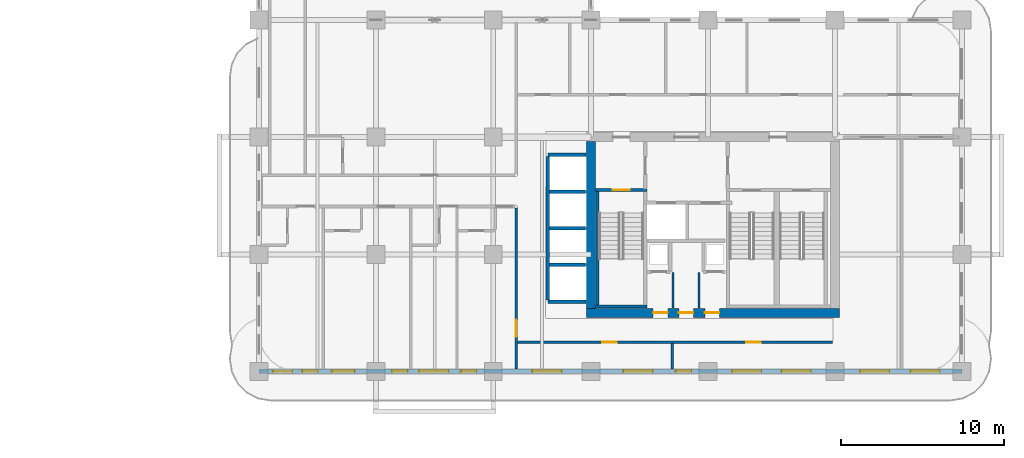
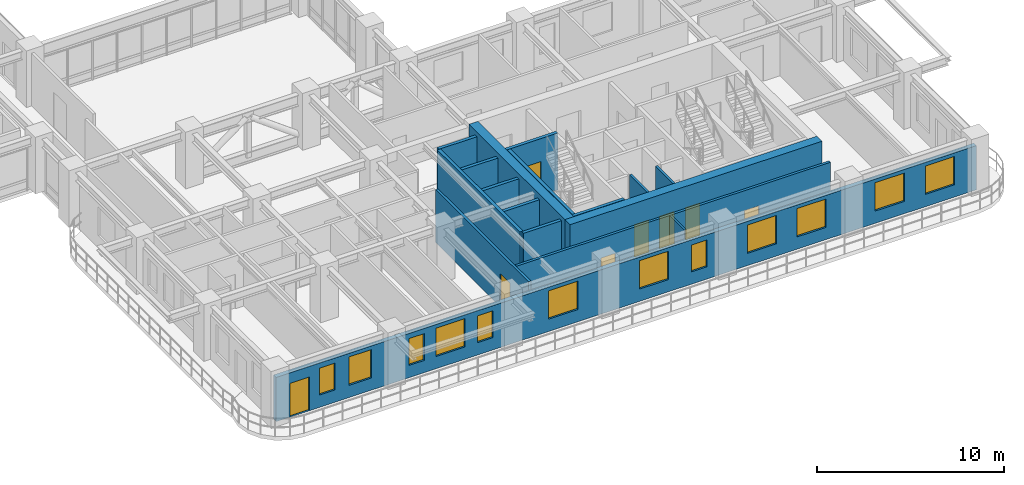
# One storey, part 12 of 21: 17 walls, 12 windows, 8 doors, 20 openings.
"""IFC4 building model written with IfcOpenShell, lengths in metres."""

from ifc_helpers import new_model, si_unit, derived_unit, direction, frame, frame_2d, origin, place, context, subcontext, project, spatial, rectangle, extrude, source, transform, mapped, material, layer, layer_set, type_object, type_shapes, element, fill, save


model = new_model("IFC4")

# Units and contexts
model_context = context("Model", 3, precision=1e-05, world=origin(), true_north=direction((0.0, 1.0)))
body_context = subcontext(model_context, "Body", "Model", "MODEL_VIEW")
ifc_project = project(units=[si_unit("LENGTHUNIT", "METRE"), si_unit("AREAUNIT", "SQUARE_METRE"), si_unit("VOLUMEUNIT", "CUBIC_METRE"), si_unit("PLANEANGLEUNIT", "RADIAN"), si_unit("MASSUNIT", "GRAM", prefix="KILO"), si_unit("THERMODYNAMICTEMPERATUREUNIT", "KELVIN"), si_unit("POWERUNIT", "WATT"), derived_unit("THERMALTRANSMITTANCEUNIT", [(si_unit("POWERUNIT", "WATT"), 1), (si_unit("AREAUNIT", "SQUARE_METRE"), -1), (si_unit("THERMODYNAMICTEMPERATUREUNIT", "KELVIN"), -1)])], contexts=[model_context])

# Site, building, storey
site_placement = place(None, origin())
site = spatial("IfcSite", under=ifc_project, at=site_placement, CompositionType="ELEMENT")
building_placement = place(site_placement, origin())
building = spatial("IfcBuilding", under=site, at=building_placement, Name="Zahravan Archway Hotel and Residences", CompositionType="ELEMENT")
storey_placement = place(building_placement, frame((0.0, 0.0, 65.699951171875)))
storey = spatial("IfcBuildingStorey", under=building, at=storey_placement, Name="L15", CompositionType="ELEMENT", Elevation=65.699951171875)

# Wall, openings, doors
ifc_material_1 = material(Name="Concrete C70/85", Category="concrete")
ifc_layer_1 = layer(ifc_material_1, 0.550048828125, Name="Concrete C70/85", Category="concrete")
ifc_layer_set_1 = layer_set([ifc_layer_1], Name="Concrete C70/85")
wall_type_1 = type_object("IfcWallType", Name="CW-CORE-550", PredefinedType="SHEAR", material=ifc_layer_set_1)
wall_1_placement = place(storey_placement, frame((34.52490234375, 3.60009765625, 0.0), z_axis=(0.0, 0.0, 1.0), x_axis=(1.0, 0.0, 0.0)))
wall_1 = element("IfcWall", 1, at=wall_1_placement, inside=storey, type_object=wall_type_1, Name="L15 Core A Shear S Wall 550 mm", PredefinedType="SHEAR", context=body_context, shape_type="SweptSolid", body=[
    extrude(rectangle(XDim=15.550048828125, YDim=0.550048828125, at=frame_2d((7.77490234375, 0.0))), origin(), (0.0, 0.0, 1.0), 3.699951171875),
])
opening_1_placement = place(wall_1_placement, frame((4.10498046875, 0.0, 0.0)))
opening_1 = element("IfcOpeningElement", 2, at=opening_1_placement, cuts=wall_1, Name="Opening FD-R1", PredefinedType="OPENING", context=body_context, shape_type="SweptSolid", body=[
    extrude(rectangle(XDim=0.89990234375, YDim=2.10009765625, at=frame_2d((0.449951171875, 1.050048828125))), frame((0.0, 0.28515625, 0.0), z_axis=(0.0, -1.0, 0.0), x_axis=(1.0, 0.0, 0.0)), (0.0, 0.0, 1.0), 0.570068359375),
])
opening_2_placement = place(wall_1_placement, frame((5.675048828125, 0.0, 0.0)))
opening_2 = element("IfcOpeningElement", 3, at=opening_2_placement, cuts=wall_1, Name="Opening FD-R1", PredefinedType="OPENING", context=body_context, shape_type="SweptSolid", body=[
    extrude(rectangle(XDim=0.89990234375, YDim=2.10009765625, at=frame_2d((0.449951171875, 1.050048828125))), frame((0.0, 0.28515625, 0.0), z_axis=(0.0, -1.0, 0.0), x_axis=(1.0, 0.0, 0.0)), (0.0, 0.0, 1.0), 0.570068359375),
])
opening_3_placement = place(wall_1_placement, frame((7.27490234375, 0.0, 0.0)))
opening_3 = element("IfcOpeningElement", 4, at=opening_3_placement, cuts=wall_1, Name="Opening FD-R1", PredefinedType="OPENING", context=body_context, shape_type="SweptSolid", body=[
    extrude(rectangle(XDim=0.89990234375, YDim=2.10009765625, at=frame_2d((0.449951171875, 1.050048828125))), frame((0.0, 0.28515625, 0.0), z_axis=(0.0, -1.0, 0.0), x_axis=(1.0, 0.0, 0.0)), (0.0, 0.0, 1.0), 0.570068359375),
])
ifc_material_2 = material(Name="Fire-Rated Painted Steel", Category="steel")
door_type_1 = type_object("IfcDoorType", Name="FD-RISER-900", OperationType="NOTDEFINED", PredefinedType="DOOR", material=ifc_material_2)
shared_shape_1 = source(origin(), body_context, "Body", "SweptSolid", [
    extrude(rectangle(XDim=0.89990234375, YDim=2.10009765625, at=frame_2d((0.449951171875, 1.050048828125))), frame((0.0, 0.02490234375, 0.0), z_axis=(0.0, -1.0, 0.0), x_axis=(1.0, 0.0, 0.0)), (0.0, 0.0, 1.0), 0.050048828125),
])
type_shapes(door_type_1, [shared_shape_1])
door_1_placement = place(opening_1_placement, origin())
door_1 = element("IfcDoor", 5, at=door_1_placement, inside=storey, type_object=door_type_1, Name="L15 Linen Store Door", OperationType="SINGLE_SWING_LEFT", OverallHeight=2.10009765625, OverallWidth=0.89990234375, PredefinedType="DOOR", context=body_context, shape_type="MappedRepresentation", body=[
    mapped(shared_shape_1, transform((0.0, 0.0, 0.0), scale=1.0)),
])
fill(opening_1, door_1)
door_2_placement = place(opening_2_placement, origin())
door_2 = element("IfcDoor", 6, at=door_2_placement, inside=storey, type_object=door_type_1, Name="L15 Housekeeping Store Door", OperationType="SINGLE_SWING_RIGHT", OverallHeight=2.10009765625, OverallWidth=0.89990234375, PredefinedType="DOOR", context=body_context, shape_type="MappedRepresentation", body=[
    mapped(shared_shape_1, transform((0.0, 0.0, 0.0), scale=1.0)),
])
fill(opening_2, door_2)
door_3_placement = place(opening_3_placement, origin())
door_3 = element("IfcDoor", 7, at=door_3_placement, inside=storey, type_object=door_type_1, Name="L15 Janitor Store Door", OperationType="SINGLE_SWING_LEFT", OverallHeight=2.10009765625, OverallWidth=0.89990234375, PredefinedType="DOOR", context=body_context, shape_type="MappedRepresentation", body=[
    mapped(shared_shape_1, transform((0.0, 0.0, 0.0), scale=1.0)),
])
fill(opening_3, door_3)

# Wall
wall_2_placement = place(storey_placement, frame((34.800048828125, 3.875, 0.0), z_axis=(0.0, 0.0, 1.0), x_axis=(0.0, 1.0, 0.0)))
element("IfcWall", 8, at=wall_2_placement, inside=storey, type_object=wall_type_1, Name="L15 Core A Shear W Wall 550 mm", PredefinedType="SHEAR", context=body_context, shape_type="SweptSolid", body=[
    extrude(rectangle(XDim=10.25, YDim=0.550048828125, at=frame_2d((5.125, 0.0))), origin(), (0.0, 0.0, 1.0), 3.699951171875),
])

# Wall, openings, door, windows
ifc_material_3 = material(Name="Honed Red-Ochre Sandstone & Insulated Block", Category="masonry")
ifc_layer_2 = layer(ifc_material_3, 0.280029296875, Name="Honed Red-Ochre Sandstone & Insulated Block", Category="masonry")
ifc_layer_set_2 = layer_set([ifc_layer_2], Name="Honed Red-Ochre Sandstone & Insulated Block")
wall_type_2 = type_object("IfcWallType", Name="EW-LOG-280", PredefinedType="SOLIDWALL", material=ifc_layer_set_2)
wall_3_placement = place(storey_placement, frame((14.39990234375, 0.0, 0.0), z_axis=(0.0, 0.0, 1.0), x_axis=(1.0, 0.0, 0.0)))
wall_3 = element("IfcWall", 9, at=wall_3_placement, inside=storey, type_object=wall_type_2, Name="L15 Exterior Sandstone Wall WA-S", PredefinedType="SOLIDWALL", context=body_context, shape_type="SweptSolid", body=[
    extrude(rectangle(XDim=43.2001953125, YDim=0.280029296875, at=frame_2d((21.60009765625, 0.0))), origin(), (0.0, 0.0, 1.0), 2.885009765625),
])
opening_4_placement = place(wall_3_placement, frame((0.85009765625, 0.0, 0.0)))
opening_4 = element("IfcOpeningElement", 10, at=opening_4_placement, cuts=wall_3, Name="Opening ED-BL1", PredefinedType="OPENING", context=body_context, shape_type="SweptSolid", body=[
    extrude(rectangle(XDim=1.199951171875, YDim=2.199951171875, at=frame_2d((0.60009765625, 1.10009765625))), frame((0.0, 0.14990234375, 0.0), z_axis=(0.0, -1.0, 0.0), x_axis=(1.0, 0.0, 0.0)), (0.0, 0.0, 1.0), 0.300048828125),
])
opening_5_placement = place(wall_3_placement, frame((2.6708984375, 0.0, 0.800048828125)))
opening_5 = element("IfcOpeningElement", 11, at=opening_5_placement, cuts=wall_3, Name="Opening W-04", PredefinedType="OPENING", context=body_context, shape_type="SweptSolid", body=[
    extrude(rectangle(XDim=0.949951171875, YDim=1.75, at=frame_2d((0.47509765625, 0.875))), frame((0.0, 0.14990234375, 0.0), z_axis=(0.0, -1.0, 0.0), x_axis=(1.0, 0.0, 0.0)), (0.0, 0.0, 1.0), 0.300048828125),
])
opening_6_placement = place(wall_3_placement, frame((4.47900390625, 0.0, 0.800048828125)))
opening_6 = element("IfcOpeningElement", 12, at=opening_6_placement, cuts=wall_3, Name="Opening W-03", PredefinedType="OPENING", context=body_context, shape_type="SweptSolid", body=[
    extrude(rectangle(XDim=1.39990234375, YDim=1.85009765625, at=frame_2d((0.699951171875, 0.925048828125))), frame((0.0, 0.14990234375, 0.0), z_axis=(0.0, -1.0, 0.0), x_axis=(1.0, 0.0, 0.0)), (0.0, 0.0, 1.0), 0.300048828125),
])
opening_7_placement = place(wall_3_placement, frame((8.180908203125, 0.0, 0.800048828125)))
opening_7 = element("IfcOpeningElement", 13, at=opening_7_placement, cuts=wall_3, Name="Opening W-04", PredefinedType="OPENING", context=body_context, shape_type="SweptSolid", body=[
    extrude(rectangle(XDim=0.949951171875, YDim=1.75, at=frame_2d((0.47509765625, 0.875))), frame((0.0, 0.14990234375, 0.0), z_axis=(0.0, -1.0, 0.0), x_axis=(1.0, 0.0, 0.0)), (0.0, 0.0, 1.0), 0.300048828125),
])
opening_8_placement = place(wall_3_placement, frame((9.844970703125, 0.0, 0.800048828125)))
opening_8 = element("IfcOpeningElement", 14, at=opening_8_placement, cuts=wall_3, Name="Opening W-02", PredefinedType="OPENING", context=body_context, shape_type="SweptSolid", body=[
    extrude(rectangle(XDim=1.800048828125, YDim=1.85009765625, at=frame_2d((0.89990234375, 0.925048828125))), frame((0.0, 0.14990234375, 0.0), z_axis=(0.0, -1.0, 0.0), x_axis=(1.0, 0.0, 0.0)), (0.0, 0.0, 1.0), 0.300048828125),
])
opening_9_placement = place(wall_3_placement, frame((12.4140625, 0.0, 0.800048828125)))
opening_9 = element("IfcOpeningElement", 15, at=opening_9_placement, cuts=wall_3, Name="Opening W-04", PredefinedType="OPENING", context=body_context, shape_type="SweptSolid", body=[
    extrude(rectangle(XDim=0.949951171875, YDim=1.75, at=frame_2d((0.47509765625, 0.875))), frame((0.0, 0.14990234375, 0.0), z_axis=(0.0, -1.0, 0.0), x_axis=(1.0, 0.0, 0.0)), (0.0, 0.0, 1.0), 0.300048828125),
])
opening_10_placement = place(wall_3_placement, frame((16.803955078125, 0.0, 0.800048828125)))
opening_10 = element("IfcOpeningElement", 16, at=opening_10_placement, cuts=wall_3, Name="Opening W-02", PredefinedType="OPENING", context=body_context, shape_type="SweptSolid", body=[
    extrude(rectangle(XDim=1.800048828125, YDim=1.85009765625, at=frame_2d((0.89990234375, 0.925048828125))), frame((0.0, 0.14990234375, 0.0), z_axis=(0.0, -1.0, 0.0), x_axis=(1.0, 0.0, 0.0)), (0.0, 0.0, 1.0), 0.300048828125),
])
opening_11_placement = place(wall_3_placement, frame((22.39599609375, 0.0, 0.800048828125)))
opening_11 = element("IfcOpeningElement", 17, at=opening_11_placement, cuts=wall_3, Name="Opening W-02", PredefinedType="OPENING", context=body_context, shape_type="SweptSolid", body=[
    extrude(rectangle(XDim=1.800048828125, YDim=1.85009765625, at=frame_2d((0.89990234375, 0.925048828125))), frame((0.0, 0.14990234375, 0.0), z_axis=(0.0, -1.0, 0.0), x_axis=(1.0, 0.0, 0.0)), (0.0, 0.0, 1.0), 0.300048828125),
])
opening_12_placement = place(wall_3_placement, frame((25.62890625, 0.0, 0.800048828125)))
opening_12 = element("IfcOpeningElement", 18, at=opening_12_placement, cuts=wall_3, Name="Opening W-04", PredefinedType="OPENING", context=body_context, shape_type="SweptSolid", body=[
    extrude(rectangle(XDim=0.949951171875, YDim=1.75, at=frame_2d((0.47509765625, 0.875))), frame((0.0, 0.14990234375, 0.0), z_axis=(0.0, -1.0, 0.0), x_axis=(1.0, 0.0, 0.0)), (0.0, 0.0, 1.0), 0.300048828125),
])
opening_13_placement = place(wall_3_placement, frame((29.074951171875, 0.0, 0.800048828125)))
opening_13 = element("IfcOpeningElement", 19, at=opening_13_placement, cuts=wall_3, Name="Opening W-02", PredefinedType="OPENING", context=body_context, shape_type="SweptSolid", body=[
    extrude(rectangle(XDim=1.800048828125, YDim=1.85009765625, at=frame_2d((0.89990234375, 0.925048828125))), frame((0.0, 0.14990234375, 0.0), z_axis=(0.0, -1.0, 0.0), x_axis=(1.0, 0.0, 0.0)), (0.0, 0.0, 1.0), 0.300048828125),
])
opening_14_placement = place(wall_3_placement, frame((32.125, 0.0, 0.800048828125)))
opening_14 = element("IfcOpeningElement", 20, at=opening_14_placement, cuts=wall_3, Name="Opening W-02", PredefinedType="OPENING", context=body_context, shape_type="SweptSolid", body=[
    extrude(rectangle(XDim=1.800048828125, YDim=1.85009765625, at=frame_2d((0.89990234375, 0.925048828125))), frame((0.0, 0.14990234375, 0.0), z_axis=(0.0, -1.0, 0.0), x_axis=(1.0, 0.0, 0.0)), (0.0, 0.0, 1.0), 0.300048828125),
])
opening_15_placement = place(wall_3_placement, frame((36.946044921875, 0.0, 0.800048828125)))
opening_15 = element("IfcOpeningElement", 21, at=opening_15_placement, cuts=wall_3, Name="Opening W-02", PredefinedType="OPENING", context=body_context, shape_type="SweptSolid", body=[
    extrude(rectangle(XDim=1.800048828125, YDim=1.85009765625, at=frame_2d((0.89990234375, 0.925048828125))), frame((0.0, 0.14990234375, 0.0), z_axis=(0.0, -1.0, 0.0), x_axis=(1.0, 0.0, 0.0)), (0.0, 0.0, 1.0), 0.300048828125),
])
opening_16_placement = place(wall_3_placement, frame((40.053955078125, 0.0, 0.800048828125)))
opening_16 = element("IfcOpeningElement", 22, at=opening_16_placement, cuts=wall_3, Name="Opening W-02", PredefinedType="OPENING", context=body_context, shape_type="SweptSolid", body=[
    extrude(rectangle(XDim=1.800048828125, YDim=1.85009765625, at=frame_2d((0.89990234375, 0.925048828125))), frame((0.0, 0.14990234375, 0.0), z_axis=(0.0, -1.0, 0.0), x_axis=(1.0, 0.0, 0.0)), (0.0, 0.0, 1.0), 0.300048828125),
])
ifc_material_4 = material(Name="Bronze-Anodized Glazed Aluminium", Category="aluminium")
door_type_2 = type_object("IfcDoorType", Name="ED-BALC-1200", OperationType="SLIDING_TO_LEFT", PredefinedType="DOOR", material=ifc_material_4)
shared_shape_2 = source(origin(), body_context, "Body", "SweptSolid", [
    extrude(rectangle(XDim=1.199951171875, YDim=2.199951171875, at=frame_2d((0.60009765625, 1.10009765625))), frame((0.0, 0.02490234375, 0.0), z_axis=(0.0, -1.0, 0.0), x_axis=(1.0, 0.0, 0.0)), (0.0, 0.0, 1.0), 0.050048828125),
])
type_shapes(door_type_2, [shared_shape_2])
door_4_placement = place(opening_4_placement, origin())
door_4 = element("IfcDoor", 23, at=door_4_placement, inside=storey, type_object=door_type_2, Name="L15 Outdoor Access Sliding Door (SLB-BAL-L15-SA)", OperationType="SLIDING_TO_LEFT", OverallHeight=2.199951171875, OverallWidth=1.199951171875, PredefinedType="DOOR", context=body_context, shape_type="MappedRepresentation", body=[
    mapped(shared_shape_2, transform((0.0, 0.0, 0.0), scale=1.0)),
])
fill(opening_4, door_4)
ifc_material_5 = material(Name="Bronze-Anodized Thermal-Break Aluminium & Low-E Glass", Category="aluminium")
window_type_1 = type_object("IfcWindowType", Name="WIN-TWR-1400", PartitioningType="SINGLE_PANEL", PredefinedType="WINDOW", material=ifc_material_5)
shared_shape_3 = source(origin(), body_context, "Body", "SweptSolid", [
    extrude(rectangle(XDim=1.39990234375, YDim=1.85009765625, at=frame_2d((0.699951171875, 0.925048828125))), frame((0.0, 0.030029296875, 0.0), z_axis=(0.0, -1.0, 0.0), x_axis=(1.0, 0.0, 0.0)), (0.0, 0.0, 1.0), 0.06005859375),
])
type_shapes(window_type_1, [shared_shape_3])
window_1_placement = place(opening_6_placement, origin())
window_1 = element("IfcWindow", 24, at=window_1_placement, inside=storey, type_object=window_type_1, Name="L15 Loggia Window 02", OverallHeight=1.85009765625, OverallWidth=1.39990234375, PartitioningType="SINGLE_PANEL", PredefinedType="WINDOW", context=body_context, shape_type="MappedRepresentation", body=[
    mapped(shared_shape_3, transform((0.0, 0.0, 0.0), scale=1.0)),
])
fill(opening_6, window_1)
window_type_2 = type_object("IfcWindowType", Name="WIN-NAR-950", PartitioningType="SINGLE_PANEL", PredefinedType="WINDOW", material=ifc_material_5)
shared_shape_4 = source(origin(), body_context, "Body", "SweptSolid", [
    extrude(rectangle(XDim=0.949951171875, YDim=1.75, at=frame_2d((0.47509765625, 0.875))), frame((0.0, 0.030029296875, 0.0), z_axis=(0.0, -1.0, 0.0), x_axis=(1.0, 0.0, 0.0)), (0.0, 0.0, 1.0), 0.06005859375),
])
type_shapes(window_type_2, [shared_shape_4])
window_2_placement = place(opening_5_placement, origin())
window_2 = element("IfcWindow", 25, at=window_2_placement, inside=storey, type_object=window_type_2, Name="L15 Loggia Window 01", OverallHeight=1.75, OverallWidth=0.949951171875, PartitioningType="SINGLE_PANEL", PredefinedType="WINDOW", context=body_context, shape_type="MappedRepresentation", body=[
    mapped(shared_shape_4, transform((0.0, 0.0, 0.0), scale=1.0)),
])
fill(opening_5, window_2)
window_3_placement = place(opening_7_placement, origin())
window_3 = element("IfcWindow", 26, at=window_3_placement, inside=storey, type_object=window_type_2, Name="L15 Loggia Window 03", OverallHeight=1.75, OverallWidth=0.949951171875, PartitioningType="SINGLE_PANEL", PredefinedType="WINDOW", context=body_context, shape_type="MappedRepresentation", body=[
    mapped(shared_shape_4, transform((0.0, 0.0, 0.0), scale=1.0)),
])
fill(opening_7, window_3)
window_4_placement = place(opening_9_placement, origin())
window_4 = element("IfcWindow", 27, at=window_4_placement, inside=storey, type_object=window_type_2, Name="L15 Loggia Window 05", OverallHeight=1.75, OverallWidth=0.949951171875, PartitioningType="SINGLE_PANEL", PredefinedType="WINDOW", context=body_context, shape_type="MappedRepresentation", body=[
    mapped(shared_shape_4, transform((0.0, 0.0, 0.0), scale=1.0)),
])
fill(opening_9, window_4)
window_5_placement = place(opening_12_placement, origin())
window_5 = element("IfcWindow", 28, at=window_5_placement, inside=storey, type_object=window_type_2, Name="L15 Loggia Window 08", OverallHeight=1.75, OverallWidth=0.949951171875, PartitioningType="SINGLE_PANEL", PredefinedType="WINDOW", context=body_context, shape_type="MappedRepresentation", body=[
    mapped(shared_shape_4, transform((0.0, 0.0, 0.0), scale=1.0)),
])
fill(opening_12, window_5)
window_type_3 = type_object("IfcWindowType", Name="WIN-TWR-1800", PartitioningType="DOUBLE_PANEL_VERTICAL", PredefinedType="WINDOW", material=ifc_material_5)
shared_shape_5 = source(origin(), body_context, "Body", "SweptSolid", [
    extrude(rectangle(XDim=1.800048828125, YDim=1.85009765625, at=frame_2d((0.89990234375, 0.925048828125))), frame((0.0, 0.030029296875, 0.0), z_axis=(0.0, -1.0, 0.0), x_axis=(1.0, 0.0, 0.0)), (0.0, 0.0, 1.0), 0.06005859375),
])
type_shapes(window_type_3, [shared_shape_5])
window_6_placement = place(opening_8_placement, origin())
window_6 = element("IfcWindow", 29, at=window_6_placement, inside=storey, type_object=window_type_3, Name="L15 Loggia Window 04", OverallHeight=1.85009765625, OverallWidth=1.800048828125, PartitioningType="DOUBLE_PANEL_VERTICAL", PredefinedType="WINDOW", context=body_context, shape_type="MappedRepresentation", body=[
    mapped(shared_shape_5, transform((0.0, 0.0, 0.0), scale=1.0)),
])
fill(opening_8, window_6)
window_7_placement = place(opening_10_placement, origin())
window_7 = element("IfcWindow", 30, at=window_7_placement, inside=storey, type_object=window_type_3, Name="L15 Loggia Window 06", OverallHeight=1.85009765625, OverallWidth=1.800048828125, PartitioningType="DOUBLE_PANEL_VERTICAL", PredefinedType="WINDOW", context=body_context, shape_type="MappedRepresentation", body=[
    mapped(shared_shape_5, transform((0.0, 0.0, 0.0), scale=1.0)),
])
fill(opening_10, window_7)
window_8_placement = place(opening_11_placement, origin())
window_8 = element("IfcWindow", 31, at=window_8_placement, inside=storey, type_object=window_type_3, Name="L15 Loggia Window 07", OverallHeight=1.85009765625, OverallWidth=1.800048828125, PartitioningType="DOUBLE_PANEL_VERTICAL", PredefinedType="WINDOW", context=body_context, shape_type="MappedRepresentation", body=[
    mapped(shared_shape_5, transform((0.0, 0.0, 0.0), scale=1.0)),
])
fill(opening_11, window_8)
window_9_placement = place(opening_13_placement, origin())
window_9 = element("IfcWindow", 32, at=window_9_placement, inside=storey, type_object=window_type_3, Name="L15 Loggia Window 09", OverallHeight=1.85009765625, OverallWidth=1.800048828125, PartitioningType="DOUBLE_PANEL_VERTICAL", PredefinedType="WINDOW", context=body_context, shape_type="MappedRepresentation", body=[
    mapped(shared_shape_5, transform((0.0, 0.0, 0.0), scale=1.0)),
])
fill(opening_13, window_9)
window_10_placement = place(opening_14_placement, origin())
window_10 = element("IfcWindow", 33, at=window_10_placement, inside=storey, type_object=window_type_3, Name="L15 Loggia Window 10", OverallHeight=1.85009765625, OverallWidth=1.800048828125, PartitioningType="DOUBLE_PANEL_VERTICAL", PredefinedType="WINDOW", context=body_context, shape_type="MappedRepresentation", body=[
    mapped(shared_shape_5, transform((0.0, 0.0, 0.0), scale=1.0)),
])
fill(opening_14, window_10)
window_11_placement = place(opening_15_placement, origin())
window_11 = element("IfcWindow", 34, at=window_11_placement, inside=storey, type_object=window_type_3, Name="L15 Loggia Window 11", OverallHeight=1.85009765625, OverallWidth=1.800048828125, PartitioningType="DOUBLE_PANEL_VERTICAL", PredefinedType="WINDOW", context=body_context, shape_type="MappedRepresentation", body=[
    mapped(shared_shape_5, transform((0.0, 0.0, 0.0), scale=1.0)),
])
fill(opening_15, window_11)
window_12_placement = place(opening_16_placement, origin())
window_12 = element("IfcWindow", 35, at=window_12_placement, inside=storey, type_object=window_type_3, Name="L15 Loggia Window 12", OverallHeight=1.85009765625, OverallWidth=1.800048828125, PartitioningType="DOUBLE_PANEL_VERTICAL", PredefinedType="WINDOW", context=body_context, shape_type="MappedRepresentation", body=[
    mapped(shared_shape_5, transform((0.0, 0.0, 0.0), scale=1.0)),
])
fill(opening_16, window_12)

# Wall, opening, door
ifc_material_6 = material(Name="Fire-Rated Gypsum & Concrete Block", Category="concrete")
ifc_layer_3 = layer(ifc_material_6, 0.159912109375, Name="Fire-Rated Gypsum & Concrete Block", Category="concrete")
ifc_layer_set_3 = layer_set([ifc_layer_3], Name="Fire-Rated Gypsum & Concrete Block")
wall_type_3 = type_object("IfcWallType", Name="PW-CORR-160", PredefinedType="PARTITIONING", material=ifc_layer_set_3)
wall_4_placement = place(storey_placement, frame((30.199951171875, 0.14794921875, 0.0), z_axis=(0.0, 0.0, 1.0), x_axis=(0.0, 1.0, 0.0)))
wall_4 = element("IfcWall", 36, at=wall_4_placement, inside=storey, type_object=wall_type_3, Name="L15 Partition WA-SRW", PredefinedType="PARTITIONING", context=body_context, shape_type="SweptSolid", body=[
    extrude(rectangle(XDim=9.912109375, YDim=0.159912109375, at=frame_2d((4.9560546875, 0.0))), origin(), (0.0, 0.0, 1.0), 3.449951171875),
])
opening_17_placement = place(wall_4_placement, frame((1.97705078125, 0.0, 0.0)))
opening_17 = element("IfcOpeningElement", 37, at=opening_17_placement, cuts=wall_4, Name="Opening FD-L2", PredefinedType="OPENING", context=body_context, shape_type="SweptSolid", body=[
    extrude(rectangle(XDim=1.050048828125, YDim=2.14990234375, at=frame_2d((0.52490234375, 1.074951171875))), frame((0.0, 0.08984375, 0.0), z_axis=(0.0, -1.0, 0.0), x_axis=(1.0, 0.0, 0.0)), (0.0, 0.0, 1.0), 0.179931640625),
])
door_type_3 = type_object("IfcDoorType", Name="FD-LOBBY-1100", OperationType="NOTDEFINED", PredefinedType="DOOR", material=ifc_material_2)
shared_shape_6 = source(origin(), body_context, "Body", "SweptSolid", [
    extrude(rectangle(XDim=1.050048828125, YDim=2.14990234375, at=frame_2d((0.52490234375, 1.074951171875))), frame((0.0, 0.02490234375, 0.0), z_axis=(0.0, -1.0, 0.0), x_axis=(1.0, 0.0, 0.0)), (0.0, 0.0, 1.0), 0.050048828125),
])
type_shapes(door_type_3, [shared_shape_6])
door_5_placement = place(opening_17_placement, origin())
door_5 = element("IfcDoor", 38, at=door_5_placement, inside=storey, type_object=door_type_3, Name="L15 South Riser Corridor Door", OperationType="SINGLE_SWING_LEFT", OverallHeight=2.14990234375, OverallWidth=1.050048828125, PredefinedType="DOOR", context=body_context, shape_type="MappedRepresentation", body=[
    mapped(shared_shape_6, transform((0.0, 0.0, 0.0), scale=1.0)),
])
fill(opening_17, door_5)

# Wall, openings, doors
wall_5_placement = place(storey_placement, frame((30.2900390625, 1.800048828125, 0.0), z_axis=(0.0, 0.0, 1.0), x_axis=(1.0, 0.0, 0.0)))
wall_5 = element("IfcWall", 39, at=wall_5_placement, inside=storey, type_object=wall_type_3, Name="L15 Partition WA-SRS", PredefinedType="PARTITIONING", context=body_context, shape_type="SweptSolid", body=[
    extrude(rectangle(XDim=19.369873046875, YDim=0.159912109375, at=frame_2d((9.68505859375, 0.0))), origin(), (0.0, 0.0, 1.0), 3.449951171875),
])
opening_18_placement = place(wall_5_placement, frame((5.213134765625, 0.0, 0.0)))
opening_18 = element("IfcOpeningElement", 40, at=opening_18_placement, cuts=wall_5, Name="Opening D-I2", PredefinedType="OPENING", context=body_context, shape_type="SweptSolid", body=[
    extrude(rectangle(XDim=0.89990234375, YDim=2.14990234375, at=frame_2d((0.449951171875, 1.074951171875))), frame((0.0, 0.08984375, 0.0), z_axis=(0.0, -1.0, 0.0), x_axis=(1.0, 0.0, 0.0)), (0.0, 0.0, 1.0), 0.179931640625),
])
opening_19_placement = place(wall_5_placement, frame((14.06005859375, 0.0, 0.0)))
opening_19 = element("IfcOpeningElement", 41, at=opening_19_placement, cuts=wall_5, Name="Opening D-I2", PredefinedType="OPENING", context=body_context, shape_type="SweptSolid", body=[
    extrude(rectangle(XDim=0.89990234375, YDim=2.14990234375, at=frame_2d((0.449951171875, 1.074951171875))), frame((0.0, 0.08984375, 0.0), z_axis=(0.0, -1.0, 0.0), x_axis=(1.0, 0.0, 0.0)), (0.0, 0.0, 1.0), 0.179931640625),
])
ifc_material_7 = material(Name="Hardwood Veneer Timber", Category="wood")
door_type_4 = type_object("IfcDoorType", Name="ID-INT-900", OperationType="NOTDEFINED", PredefinedType="DOOR", material=ifc_material_7)
shared_shape_7 = source(origin(), body_context, "Body", "SweptSolid", [
    extrude(rectangle(XDim=0.89990234375, YDim=2.14990234375, at=frame_2d((0.449951171875, 1.074951171875))), frame((0.0, 0.02490234375, 0.0), z_axis=(0.0, -1.0, 0.0), x_axis=(1.0, 0.0, 0.0)), (0.0, 0.0, 1.0), 0.050048828125),
])
type_shapes(door_type_4, [shared_shape_7])
door_6_placement = place(opening_18_placement, origin())
door_6 = element("IfcDoor", 42, at=door_6_placement, inside=storey, type_object=door_type_4, Name="L15 South Study Door", OperationType="SINGLE_SWING_RIGHT", OverallHeight=2.14990234375, OverallWidth=0.89990234375, PredefinedType="DOOR", context=body_context, shape_type="MappedRepresentation", body=[
    mapped(shared_shape_7, transform((0.0, 0.0, 0.0), scale=1.0)),
])
fill(opening_18, door_6)
door_7_placement = place(opening_19_placement, origin())
door_7 = element("IfcDoor", 43, at=door_7_placement, inside=storey, type_object=door_type_4, Name="L15 South Pantry Door", OperationType="SINGLE_SWING_LEFT", OverallHeight=2.14990234375, OverallWidth=0.89990234375, PredefinedType="DOOR", context=body_context, shape_type="MappedRepresentation", body=[
    mapped(shared_shape_7, transform((0.0, 0.0, 0.0), scale=1.0)),
])
fill(opening_19, door_7)

# Walls
ifc_material_8 = material(Name="Acoustic Stud Partition")
ifc_layer_4 = layer(ifc_material_8, 0.125, Name="Acoustic Stud Partition")
ifc_layer_set_4 = layer_set([ifc_layer_4], Name="Acoustic Stud Partition")
wall_type_4 = type_object("IfcWallType", Name="PW-INT-125", PredefinedType="PARTITIONING", material=ifc_layer_set_4)
wall_6_placement = place(storey_placement, frame((39.800048828125, 0.14794921875, 0.0), z_axis=(0.0, 0.0, 1.0), x_axis=(0.0, 1.0, 0.0)))
element("IfcWall", 44, at=wall_6_placement, inside=storey, type_object=wall_type_4, Name="L15 Partition S-DIV1", PredefinedType="PARTITIONING", context=body_context, shape_type="SweptSolid", body=[
    extrude(rectangle(XDim=1.56201171875, YDim=0.125, at=frame_2d((0.781005859375, 0.0))), origin(), (0.0, 0.0, 1.0), 3.449951171875),
])
ifc_layer_5 = layer(ifc_material_6, 0.199951171875, Name="Fire-Rated Gypsum & Concrete Block", Category="concrete")
ifc_layer_set_5 = layer_set([ifc_layer_5], Name="Fire-Rated Gypsum & Concrete Block")
wall_type_5 = type_object("IfcWallType", Name="PW-SHAFT-200", PredefinedType="PARTITIONING", material=ifc_layer_set_5)
for number, where, z_axis, x_axis, name in (
    (45, (32.159912109375, 4.280029296875, 0.0), (0.0, 0.0, 1.0), (1.0, 0.0, 0.0), "L15 Partition B3-S"),
    (46, (32.159912109375, 13.320068359375, 0.0), (0.0, 0.0, 1.0), (1.0, 0.0, 0.0), "L15 Partition B3-N"),
):
    element("IfcWall", number, at=place(storey_placement, frame(where, z_axis=z_axis, x_axis=x_axis)), inside=storey, type_object=wall_type_5, Name=name, PredefinedType="PARTITIONING", context=body_context, shape_type="SweptSolid", body=[
        extrude(rectangle(XDim=2.335205078125, YDim=0.199951171875, at=frame_2d((1.16748046875, 0.0))), origin(), (0.0, 0.0, 1.0), 3.449951171875),
    ])
wall_7_placement = place(storey_placement, frame((32.14990234375, 4.389892578125, 0.0), z_axis=(0.0, 0.0, 1.0), x_axis=(0.0, 1.0, 0.0)))
element("IfcWall", 47, at=wall_7_placement, inside=storey, type_object=wall_type_5, Name="L15 Partition B3-W", PredefinedType="PARTITIONING", context=body_context, shape_type="SweptSolid", body=[
    extrude(rectangle(XDim=8.820068359375, YDim=0.199951171875, at=frame_2d((4.41015625, 0.0))), origin(), (0.0, 0.0, 1.0), 3.449951171875),
])
for number, where, z_axis, x_axis, name in (
    (48, (32.260009765625, 6.56005859375, 0.0), (0.0, 0.0, 1.0), (1.0, 0.0, 0.0), "L15 Partition B3-D"),
    (49, (32.260009765625, 8.800048828125, 0.0), (0.0, 0.0, 1.0), (1.0, 0.0, 0.0), "L15 Partition B3-D"),
    (50, (32.260009765625, 11.0400390625, 0.0), (0.0, 0.0, 1.0), (1.0, 0.0, 0.0), "L15 Partition B3-D"),
):
    element("IfcWall", number, at=place(storey_placement, frame(where, z_axis=z_axis, x_axis=x_axis)), inside=storey, type_object=wall_type_5, Name=name, PredefinedType="PARTITIONING", context=body_context, shape_type="SweptSolid", body=[
        extrude(rectangle(XDim=2.205078125, YDim=0.199951171875, at=frame_2d((1.1025390625, 0.0))), origin(), (0.0, 0.0, 1.0), 3.449951171875),
    ])
ifc_material_9 = material(Name="Moisture-Resistant Blockwork", Category="masonry")
ifc_layer_6 = layer(ifc_material_9, 0.139892578125, Name="Moisture-Resistant Blockwork", Category="masonry")
ifc_layer_set_6 = layer_set([ifc_layer_6], Name="Moisture-Resistant Blockwork")
wall_type_6 = type_object("IfcWallType", Name="PW-WET-140", PredefinedType="PARTITIONING", material=ifc_layer_set_6)
for number, where, z_axis, x_axis, name in (
    (51, (39.85009765625, 3.89501953125, 0.0), (0.0, 0.0, 1.0), (0.0, 1.0, 0.0), "L15 Partition CA-CV1A"),
    (52, (41.449951171875, 3.89501953125, 0.0), (0.0, 0.0, 1.0), (0.0, 1.0, 0.0), "L15 Partition CA-CV1B"),
):
    element("IfcWall", number, at=place(storey_placement, frame(where, z_axis=z_axis, x_axis=x_axis)), inside=storey, type_object=wall_type_6, Name=name, PredefinedType="PARTITIONING", context=body_context, shape_type="SweptSolid", body=[
        extrude(rectangle(XDim=2.18505859375, YDim=0.139892578125, at=frame_2d((1.092529296875, 0.0))), origin(), (0.0, 0.0, 1.0), 3.449951171875),
    ])
ifc_material_10 = material(Name="Concrete C50/60", Category="concrete")
ifc_layer_7 = layer(ifc_material_10, 0.199951171875, Name="Concrete C50/60", Category="concrete")
ifc_layer_set_7 = layer_set([ifc_layer_7], Name="Concrete C50/60")
wall_type_7 = type_object("IfcWallType", Name="SW-STAIR-200", PredefinedType="SHEAR", material=ifc_layer_set_7)
wall_8_placement = place(storey_placement, frame((35.074951171875, 4.0, 0.0), z_axis=(0.0, 0.0, 1.0), x_axis=(1.0, 0.0, 0.0)))
element("IfcWall", 53, at=wall_8_placement, inside=storey, type_object=wall_type_7, Name="L15 Stairwell RC Wall CA-SA1S", PredefinedType="SHEAR", context=body_context, shape_type="SweptSolid", body=[
    extrude(rectangle(XDim=3.1650390625, YDim=0.199951171875, at=frame_2d((1.58251953125, 0.0))), origin(), (0.0, 0.0, 1.0), 3.699951171875),
])
wall_9_placement = place(storey_placement, frame((35.199951171875, 4.10009765625, 0.0), z_axis=(0.0, 0.0, 1.0), x_axis=(0.0, 1.0, 0.0)))
element("IfcWall", 54, at=wall_9_placement, inside=storey, type_object=wall_type_7, Name="L15 Stairwell RC Wall CA-SA1W", PredefinedType="SHEAR", context=body_context, shape_type="SweptSolid", body=[
    extrude(rectangle(XDim=6.949951171875, YDim=0.199951171875, at=frame_2d((3.47509765625, 0.0))), origin(), (0.0, 0.0, 1.0), 3.699951171875),
])

# Wall, opening, door
wall_10_placement = place(storey_placement, frame((35.074951171875, 11.14990234375, 0.0), z_axis=(0.0, 0.0, 1.0), x_axis=(1.0, 0.0, 0.0)))
wall_10 = element("IfcWall", 55, at=wall_10_placement, inside=storey, type_object=wall_type_7, Name="L15 Stairwell RC Wall CA-SA1N", PredefinedType="SHEAR", context=body_context, shape_type="SweptSolid", body=[
    extrude(rectangle(XDim=3.1650390625, YDim=0.199951171875, at=frame_2d((1.58251953125, 0.0))), origin(), (0.0, 0.0, 1.0), 3.699951171875),
])
opening_20_placement = place(wall_10_placement, frame((1.070068359375, 0.0, 0.0)))
opening_20 = element("IfcOpeningElement", 56, at=opening_20_placement, cuts=wall_10, Name="Opening FD-S1", PredefinedType="OPENING", context=body_context, shape_type="SweptSolid", body=[
    extrude(rectangle(XDim=1.050048828125, YDim=2.199951171875, at=frame_2d((0.52490234375, 1.10009765625))), frame((0.0, 0.10986328125, 0.0), z_axis=(0.0, -1.0, 0.0), x_axis=(1.0, 0.0, 0.0)), (0.0, 0.0, 1.0), 0.219970703125),
])
door_type_5 = type_object("IfcDoorType", Name="FD-STAIR-1100", OperationType="NOTDEFINED", PredefinedType="DOOR", material=ifc_material_2)
shared_shape_8 = source(origin(), body_context, "Body", "SweptSolid", [
    extrude(rectangle(XDim=1.050048828125, YDim=2.199951171875, at=frame_2d((0.52490234375, 1.10009765625))), frame((0.0, 0.02490234375, 0.0), z_axis=(0.0, -1.0, 0.0), x_axis=(1.0, 0.0, 0.0)), (0.0, 0.0, 1.0), 0.050048828125),
])
type_shapes(door_type_5, [shared_shape_8])
door_8_placement = place(opening_20_placement, origin())
door_8 = element("IfcDoor", 57, at=door_8_placement, inside=storey, type_object=door_type_5, Name="L15 Stair ST-A1 Door", OperationType="SINGLE_SWING_RIGHT", OverallHeight=2.199951171875, OverallWidth=1.050048828125, PredefinedType="DOOR", context=body_context, shape_type="MappedRepresentation", body=[
    mapped(shared_shape_8, transform((0.0, 0.0, 0.0), scale=1.0)),
])
fill(opening_20, door_8)

save(model, "model.ifc")
